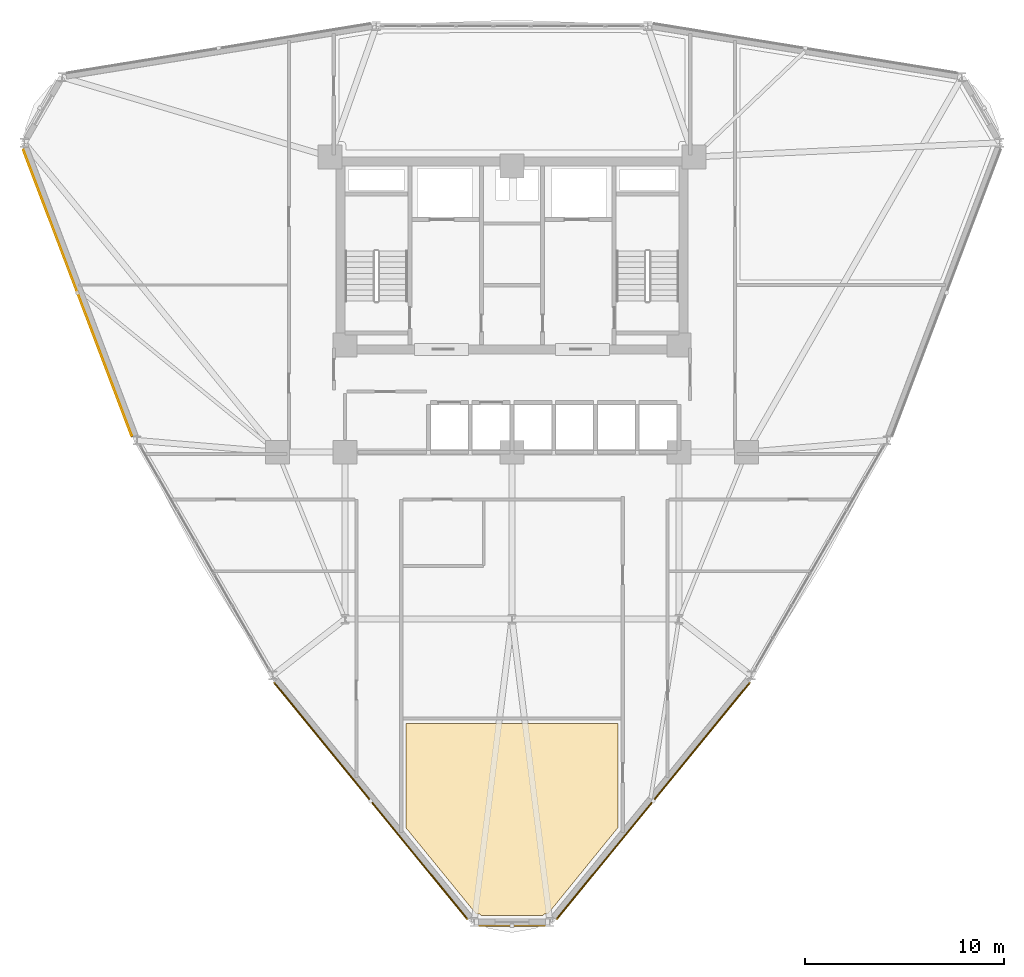
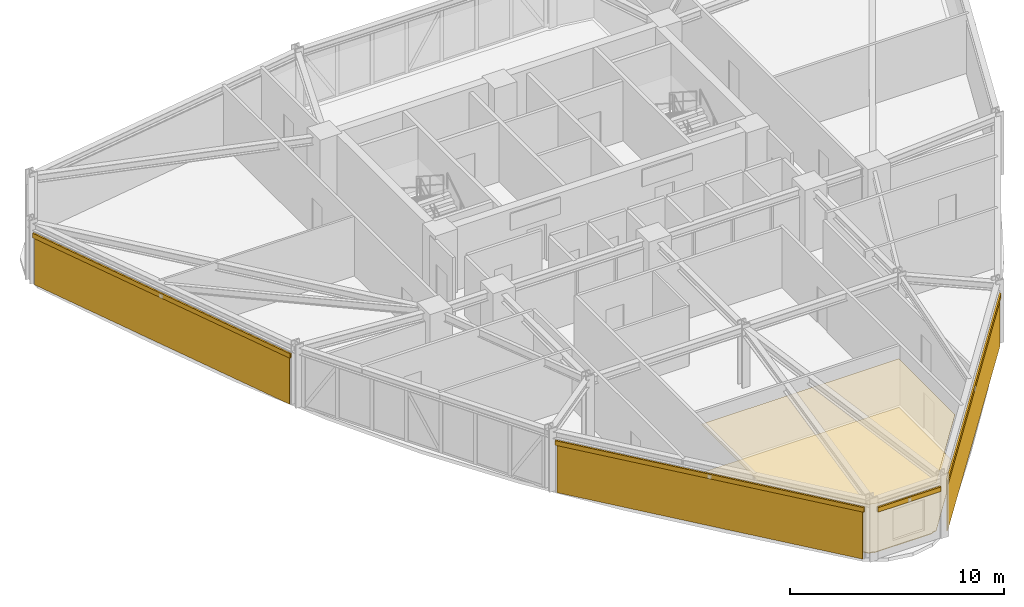
# One storey, part 14 of 17: 5 coverings, 4 shading devices.
"""IFC4 building model written with IfcOpenShell, lengths in metres."""

from ifc_helpers import new_model, si_unit, derived_unit, direction, frame, origin, origin_2d, place, context, subcontext, project, spatial, polyline, hollow_rectangle, outline, extrude, source, transform, mapped, material, layer, layer_set, material_profile, profile_set, type_object, element, save


model = new_model("IFC4")

# Units and contexts
model_context = context("Model", 3, precision=1e-05, world=origin(), true_north=direction((0.0, 1.0)))
body_context = subcontext(model_context, "Body", "Model", "MODEL_VIEW")
ifc_project = project(units=[si_unit("LENGTHUNIT", "METRE"), si_unit("AREAUNIT", "SQUARE_METRE"), si_unit("VOLUMEUNIT", "CUBIC_METRE"), si_unit("PLANEANGLEUNIT", "RADIAN"), si_unit("MASSUNIT", "GRAM", prefix="KILO"), derived_unit("THERMALTRANSMITTANCEUNIT", [(si_unit("POWERUNIT", "WATT"), 1), (si_unit("LENGTHUNIT", "METRE"), -2), (si_unit("THERMODYNAMICTEMPERATUREUNIT", "KELVIN"), -1)])], contexts=[model_context])

# Site, building, storey
site_placement = place(None, origin())
site = spatial("IfcSite", under=ifc_project, at=site_placement, CompositionType="ELEMENT")
building_placement = place(site_placement, origin())
building = spatial("IfcBuilding", under=site, at=building_placement, Name="Korsvarv Bourse and Concert Hall", CompositionType="ELEMENT")
storey_placement = place(building_placement, frame((0.0, 0.0, 124.199951171875)))
storey = spatial("IfcBuildingStorey", under=building, at=storey_placement, Name="L31", CompositionType="ELEMENT", Elevation=124.199951171875)

# Coverings
ifc_material_1 = material(Name="Perforated mineral-wool and birch acoustic baffle ceiling", Category="wood")
ifc_layer_1 = layer(ifc_material_1, 0.02490234375)
ifc_layer_set_1 = layer_set([ifc_layer_1], Name="Perforated mineral-wool and birch acoustic baffle ceiling")
covering_type_1 = type_object("IfcCoveringType", Name="COV-CEIL-1", PredefinedType="CEILING", material=ifc_layer_set_1)
covering_1_placement = place(storey_placement, frame((0.0, 0.0, 2.780029296875)))
element("IfcCovering", 1, at=covering_1_placement, inside=storey, type_object=covering_type_1, Name="L31 acoustic baffle ceiling 3", PredefinedType="CEILING", context=body_context, shape_type="SweptSolid", body=[
    extrude(outline(polyline([(30.665771484375, 13.502685546875), (30.67578125, 13.54833984375), (30.67919921875, 13.583740234375), (30.679931640625, 18.75), (41.320068359375, 18.75), (41.320068359375, 13.598388671875), (41.32373046875, 13.551513671875), (41.33056640625, 13.51708984375), (37.809814453125, 9.1806640625), (37.698974609375, 9.1806640625), (37.66455078125, 9.17724609375), (37.631591796875, 9.16748046875), (37.600830078125, 9.151611328125), (37.57373046875, 9.1298828125), (37.551513671875, 9.103515625), (34.451416015625, 9.10302734375), (34.428955078125, 9.126708984375), (34.401123046875, 9.146484375), (34.3701171875, 9.16064453125), (34.3369140625, 9.168701171875), (34.193359375, 9.176513671875), (30.665771484375, 13.502685546875)])), origin(), (0.0, 0.0, 1.0), 0.02490234375),
])
ifc_material_2 = material(Name="Warm iron-oxide extruded terracotta rainscreen tile", Category="ceramic")
ifc_layer_2 = layer(ifc_material_2, 0.044921875)
ifc_layer_set_2 = layer_set([ifc_layer_2], Name="Warm iron-oxide extruded terracotta rainscreen tile")
covering_type_2 = type_object("IfcCoveringType", Name="COV-CLD-TC", PredefinedType="CLADDING", material=ifc_layer_set_2)
covering_2_placement = place(storey_placement, origin())
element("IfcCovering", 2, at=covering_2_placement, inside=storey, type_object=covering_type_2, Name="L31 fluted terracotta cladding panel EW-L31-B06", PredefinedType="CLADDING", context=body_context, shape_type="SweptSolid", body=[
    extrude(outline(polyline([(11.448486328125, 47.61083984375), (16.892822265625, 33.2509765625), (16.850830078125, 33.235107421875), (11.406494140625, 47.594970703125), (11.448486328125, 47.61083984375)])), origin(), (0.0, 0.0, 1.0), 2.630126953125),
])
covering_3_placement = place(storey_placement, origin())
element("IfcCovering", 3, at=covering_3_placement, inside=storey, type_object=covering_type_2, Name="L31 fluted terracotta cladding panel EW-L31-B08", PredefinedType="CLADDING", context=body_context, shape_type="SweptSolid", body=[
    extrude(outline(polyline([(24.098388671875, 20.787353515625), (33.746826171875, 8.97216796875), (33.712158203125, 8.943603515625), (24.063720703125, 20.759033203125), (24.098388671875, 20.787353515625)])), origin(), (0.0, 0.0, 1.0), 2.679931640625),
])
covering_4_placement = place(storey_placement, origin())
element("IfcCovering", 4, at=covering_4_placement, inside=storey, type_object=covering_type_2, Name="L31 fluted terracotta cladding panel EW-L31-B10", PredefinedType="CLADDING", context=body_context, shape_type="SweptSolid", body=[
    extrude(outline(polyline([(38.253173828125, 8.97216796875), (47.901611328125, 20.787353515625), (47.936279296875, 20.759033203125), (38.287841796875, 8.943603515625), (38.253173828125, 8.97216796875)])), origin(), (0.0, 0.0, 1.0), 2.679931640625),
])
ifc_material_3 = material(Name="Calcium-sulphate raised access trading floor with Nordic oak top", Category="wood")
ifc_layer_3 = layer(ifc_material_3, 0.0400390625)
ifc_layer_set_3 = layer_set([ifc_layer_3], Name="Calcium-sulphate raised access trading floor with Nordic oak top")
covering_type_3 = type_object("IfcCoveringType", Name="COV-FLOR-1", PredefinedType="FLOORING", material=ifc_layer_set_3)
covering_5_placement = place(storey_placement, origin())
element("IfcCovering", 5, at=covering_5_placement, inside=storey, type_object=covering_type_3, Name="L31 raised access oak floor finish 3", PredefinedType="FLOORING", context=body_context, shape_type="SweptSolid", body=[
    extrude(outline(polyline([(30.665771484375, 13.502685546875), (30.67578125, 13.54833984375), (30.67919921875, 13.583740234375), (30.679931640625, 18.75), (41.320068359375, 18.75), (41.320068359375, 13.598388671875), (41.32373046875, 13.551513671875), (41.33056640625, 13.51708984375), (37.809814453125, 9.1806640625), (37.698974609375, 9.1806640625), (37.66455078125, 9.17724609375), (37.631591796875, 9.16748046875), (37.600830078125, 9.151611328125), (37.57373046875, 9.1298828125), (37.551513671875, 9.103515625), (34.451416015625, 9.10302734375), (34.428955078125, 9.126708984375), (34.401123046875, 9.146484375), (34.3701171875, 9.16064453125), (34.3369140625, 9.168701171875), (34.193359375, 9.176513671875), (30.665771484375, 13.502685546875)])), origin(), (0.0, 0.0, 1.0), 0.0400390625),
])

# Shading devices
ifc_material_4 = material(Name="Glazed extruded architectural terracotta", Category="ceramic")
ifc_material_profile = material_profile(ifc_material_4, hollow_rectangle(XDim=0.090087890625, YDim=0.260009765625, WallThickness=0.011962890625, at=origin_2d()), Name="TC-BAG 90x260")
ifc_profile_set = profile_set([ifc_material_profile], Name="Glazed extruded architectural terracotta")
shading_device_type = type_object("IfcShadingDeviceType", Name="SHD-BAG-1", PredefinedType="USERDEFINED", material=ifc_profile_set)
shared_shape_1 = source(origin(), body_context, "Body", "SweptSolid", [
    extrude(hollow_rectangle(XDim=0.090087890625, YDim=0.260009765625, WallThickness=0.011962890625, at=origin_2d()), origin(), (0.0, 0.0, 1.0), 15.517333984375),
])
shading_device_1_placement = place(storey_placement, frame((11.3828125, 47.671630859375, 2.7900390625), z_axis=(0.354505776015, -0.935053824532, 0.0), x_axis=(0.935053824532, 0.354505776015, 0.0)))
element("IfcShadingDevice", 6, at=shading_device_1_placement, inside=storey, type_object=shading_device_type, Name="L31 terracotta baguette sunshade EW-L31-B06", ObjectType="BAGUETTE", PredefinedType="USERDEFINED", context=body_context, shape_type="MappedRepresentation", body=[
    mapped(shared_shape_1, transform((0.0, 0.0, 0.0), scale=1.0)),
])
shared_shape_2 = source(origin(), body_context, "Body", "SweptSolid", [
    extrude(hollow_rectangle(XDim=0.090087890625, YDim=0.260009765625, WallThickness=0.011962890625, at=origin_2d()), origin(), (0.0, 0.0, 1.0), 15.414306640625),
])
for number, where, z_axis, x_axis, name in (
    (7, (24.016845703125, 20.82421875, 2.840087890625), (0.632511291832, -0.774551138211, 0.0), (0.774551138211, 0.632511291832, 0.0), "L31 terracotta baguette sunshade EW-L31-B08"),
    (8, (38.2333984375, 8.885009765625, 2.840087890625), (0.632511291832, 0.774551138211, 0.0), (-0.774551138211, 0.632511291832, 0.0), "L31 terracotta baguette sunshade EW-L31-B10"),
):
    element("IfcShadingDevice", number, at=place(storey_placement, frame(where, z_axis=z_axis, x_axis=x_axis)), inside=storey, type_object=shading_device_type, Name=name, ObjectType="BAGUETTE", PredefinedType="USERDEFINED", context=body_context, shape_type="MappedRepresentation", body=[
        mapped(shared_shape_2, transform((0.0, 0.0, 0.0), scale=1.0)),
    ])
shared_shape_3 = source(origin(), body_context, "Body", "SweptSolid", [
    extrude(hollow_rectangle(XDim=0.090087890625, YDim=0.260009765625, WallThickness=0.011962890625, at=origin_2d()), origin(), (0.0, 0.0, 1.0), 3.38818359375),
])
shading_device_2_placement = place(storey_placement, frame((34.305908203125, 8.578125, 2.840087890625), z_axis=(1.0, 0.0, 0.0), x_axis=(0.0, 1.0, 0.0)))
element("IfcShadingDevice", 9, at=shading_device_2_placement, inside=storey, type_object=shading_device_type, Name="L31 terracotta baguette sunshade EW-L31-B09", ObjectType="BAGUETTE", PredefinedType="USERDEFINED", context=body_context, shape_type="MappedRepresentation", body=[
    mapped(shared_shape_3, transform((0.0, 0.0, 0.0), scale=1.0)),
])

save(model, "model.ifc")
